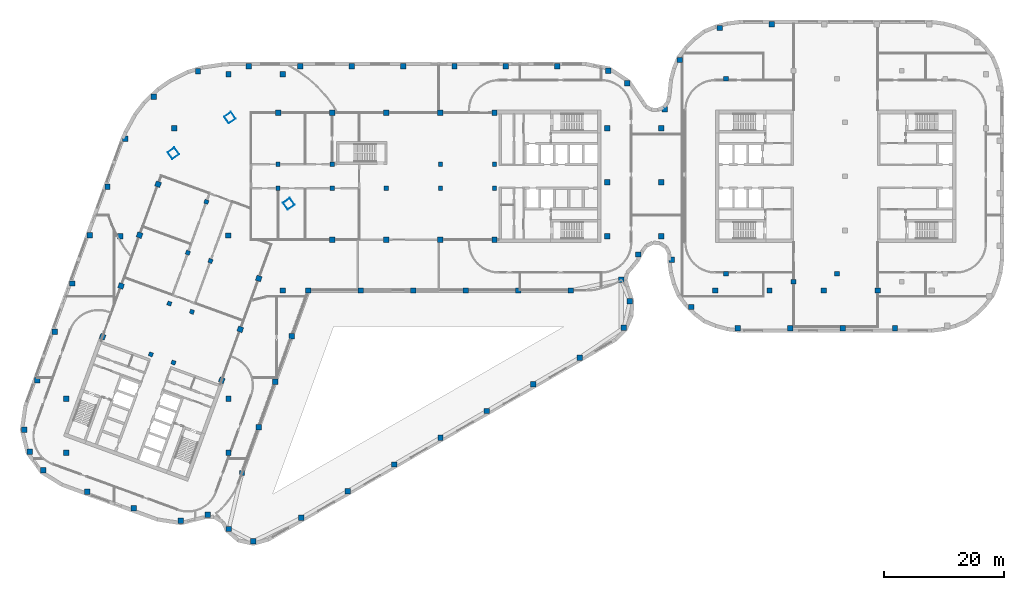
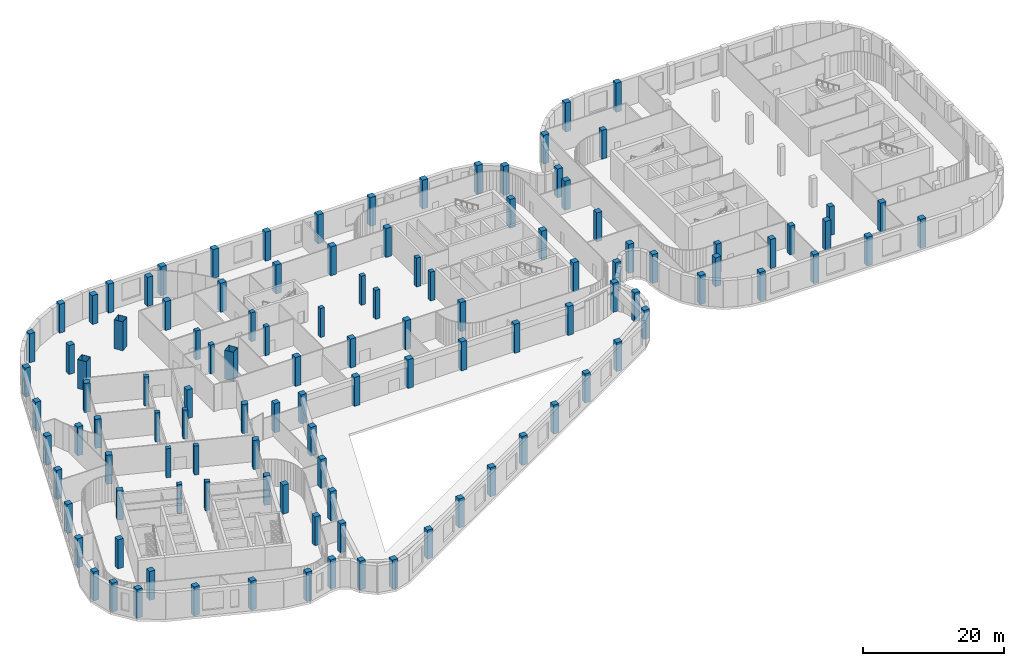
# One storey, part 1 of 20: 116 columns.
"""IFC4 building model written with IfcOpenShell, lengths in metres."""

from ifc_helpers import new_model, si_unit, direction, frame, origin, origin_2d, place, context, subcontext, project, spatial, rectangle, hollow_rectangle, extrude, material, material_profile, profile_set, type_object, element, save


model = new_model("IFC4")

# Units and contexts
model_context = context("Model", 3, precision=1e-05, world=origin(), true_north=direction((0.0, 1.0)))
body_context = subcontext(model_context, "Body", "Model", "MODEL_VIEW")
ifc_project = project(units=[si_unit("LENGTHUNIT", "METRE"), si_unit("AREAUNIT", "SQUARE_METRE"), si_unit("VOLUMEUNIT", "CUBIC_METRE"), si_unit("PLANEANGLEUNIT", "RADIAN"), si_unit("MASSUNIT", "GRAM", prefix="KILO")], contexts=[model_context])

# Site, building, storey
site_placement = place(None, origin())
site = spatial("IfcSite", under=ifc_project, at=site_placement, CompositionType="ELEMENT")
building_placement = place(site_placement, origin())
building = spatial("IfcBuilding", under=site, at=building_placement, Name="Skarvind Civic Tower", CompositionType="ELEMENT")
storey_placement = place(building_placement, frame((0.0, 0.0, 17.5)))
storey = spatial("IfcBuildingStorey", under=building, at=storey_placement, Name="L03", CompositionType="ELEMENT", Elevation=17.5)

# Columns
ifc_material_1 = material(Name="Concrete C60", Category="concrete")
ifc_material_profile_1 = material_profile(ifc_material_1, rectangle(XDim=0.699951171875, YDim=0.699951171875, at=origin_2d()), Name="RC-700x700")
ifc_profile_set_1 = profile_set([ifc_material_profile_1], Name="Concrete C60")
column_type_1 = type_object("IfcColumnType", Name="Column RC-700x700 C60", PredefinedType="COLUMN", material=ifc_profile_set_1)
for number, where, z_axis, x_axis, name in (
    (1, (54.25, 130.0, 0.0), (0.0, 0.0, 1.0), (1.0, 0.0, 0.0), "Column wing 1 north inner 02 L03"),
    (2, (63.25, 130.0, 0.0), (0.0, 0.0, 1.0), (1.0, 0.0, 0.0), "Column wing 1 north inner 03 L03"),
    (3, (81.25, 130.0, 0.0), (0.0, 0.0, 1.0), (1.0, 0.0, 0.0), "Column wing 1 north inner 05 L03"),
    (4, (90.25, 130.0, 0.0), (0.0, 0.0, 1.0), (1.0, 0.0, 0.0), "Column wing 1 north inner 06 L03"),
    (5, (54.25, 126.0, 0.0), (0.0, 0.0, 1.0), (1.0, 0.0, 0.0), "Column wing 1 south inner 02 L03"),
    (6, (63.25, 126.0, 0.0), (0.0, 0.0, 1.0), (1.0, 0.0, 0.0), "Column wing 1 south inner 03 L03"),
    (7, (72.25, 126.0, 0.0), (0.0, 0.0, 1.0), (1.0, 0.0, 0.0), "Column wing 1 south inner 04 L03"),
    (8, (81.25, 126.0, 0.0), (0.0, 0.0, 1.0), (1.0, 0.0, 0.0), "Column wing 1 south inner 05 L03"),
    (9, (90.25, 126.0, 0.0), (0.0, 0.0, 1.0), (1.0, 0.0, 0.0), "Column wing 1 south inner 06 L03"),
    (10, (43.005615234375, 113.92529296875, 0.0), (0.0, 0.0, 1.0), (-0.342020143326, -0.939692620786, 0.0), "Column wing 2 left inner 02 L03"),
    (11, (39.927490234375, 105.468017578125, 0.0), (0.0, 0.0, 1.0), (-0.342020143326, -0.939692620786, 0.0), "Column wing 2 left inner 03 L03"),
    (12, (36.84912109375, 97.010986328125, 0.0), (0.0, 0.0, 1.0), (-0.342020143326, -0.939692620786, 0.0), "Column wing 2 left inner 04 L03"),
    (13, (42.324951171875, 123.750732421875, 0.0), (0.0, 0.0, 1.0), (-0.342020143326, -0.939692620786, 0.0), "Column wing 2 right inner 01 L03"),
    (14, (39.246826171875, 115.29345703125, 0.0), (0.0, 0.0, 1.0), (-0.342020143326, -0.939692620786, 0.0), "Column wing 2 right inner 02 L03"),
    (15, (36.168701171875, 106.836181640625, 0.0), (0.0, 0.0, 1.0), (-0.342020143326, -0.939692620786, 0.0), "Column wing 2 right inner 03 L03"),
    (16, (33.090576171875, 98.37890625, 0.0), (0.0, 0.0, 1.0), (-0.342020143326, -0.939692620786, 0.0), "Column wing 2 right inner 04 L03"),
):
    element("IfcColumn", number, at=place(storey_placement, frame(where, z_axis=z_axis, x_axis=x_axis)), inside=storey, type_object=column_type_1, Name=name, PredefinedType="COLUMN", context=body_context, shape_type="SweptSolid", body=[
        extrude(rectangle(XDim=0.699951171875, YDim=0.699951171875, at=origin_2d()), origin(), (0.0, 0.0, 1.0), 5.0),
    ])
ifc_material_profile_2 = material_profile(ifc_material_1, rectangle(XDim=0.800048828125, YDim=0.800048828125, at=origin_2d()), Name="RC-800x800")
ifc_profile_set_2 = profile_set([ifc_material_profile_2], Name="Concrete C60")
column_type_2 = type_object("IfcColumnType", Name="Column RC-800x800 C60", PredefinedType="COLUMN", material=ifc_profile_set_2)
for number, where, z_axis, x_axis, name in (
    (17, (128.777099609375, 144.222900390625, 0.0), (0.0, 0.0, 1.0), (1.0, 0.0, 0.0), "Column second tower north-west corner L03"),
    (18, (128.777099609375, 111.777099609375, 0.0), (0.0, 0.0, 1.0), (1.0, 0.0, 0.0), "Column second tower south-west corner L03"),
    (19, (140.0, 110.449951171875, 0.0), (0.0, 0.0, 1.0), (1.0, 0.0, 0.0), "Column second tower south perimeter 02 L03"),
    (20, (147.222900390625, 111.777099609375, 0.0), (0.0, 0.0, 1.0), (1.0, 0.0, 0.0), "Column second tower south perimeter 03 L03"),
):
    element("IfcColumn", number, at=place(storey_placement, frame(where, z_axis=z_axis, x_axis=x_axis)), inside=storey, type_object=column_type_2, Name=name, PredefinedType="COLUMN", context=body_context, shape_type="SweptSolid", body=[
        extrude(rectangle(XDim=0.800048828125, YDim=0.800048828125, at=origin_2d()), origin(), (0.0, 0.0, 1.0), 5.0),
    ])
ifc_material_profile_3 = material_profile(ifc_material_1, rectangle(XDim=0.89990234375, YDim=0.89990234375, at=origin_2d()), Name="RC-900x900")
ifc_profile_set_3 = profile_set([ifc_material_profile_3], Name="Concrete C60")
column_type_3 = type_object("IfcColumnType", Name="Column RC-900x900 C60", PredefinedType="COLUMN", material=ifc_profile_set_3)
for number, where, z_axis, x_axis, name in (
    (21, (127.0, 109.0, 0.0), (0.0, 0.0, 1.0), (1.0, 0.0, 0.0), "Column podium grid 100 L03"),
    (22, (136.0, 109.0, 0.0), (0.0, 0.0, 1.0), (1.0, 0.0, 0.0), "Column podium grid 101 L03"),
    (23, (145.0, 109.0, 0.0), (0.0, 0.0, 1.0), (1.0, 0.0, 0.0), "Column podium grid 102 L03"),
    (24, (154.0, 109.0, 0.0), (0.0, 0.0, 1.0), (1.0, 0.0, 0.0), "Column podium grid 103 L03"),
    (25, (19.0, 82.0, 0.0), (0.0, 0.0, 1.0), (1.0, 0.0, 0.0), "Column podium grid 68 L03"),
    (26, (19.0, 91.0, 0.0), (0.0, 0.0, 1.0), (1.0, 0.0, 0.0), "Column podium grid 69 L03"),
    (27, (28.0, 118.0, 0.0), (0.0, 0.0, 1.0), (1.0, 0.0, 0.0), "Column podium grid 70 L03"),
    (28, (37.0, 136.0, 0.0), (0.0, 0.0, 1.0), (1.0, 0.0, 0.0), "Column podium grid 71 L03"),
    (29, (46.0, 82.0, 0.0), (0.0, 0.0, 1.0), (1.0, 0.0, 0.0), "Column podium grid 73 L03"),
    (30, (46.0, 91.0, 0.0), (0.0, 0.0, 1.0), (1.0, 0.0, 0.0), "Column podium grid 74 L03"),
    (31, (46.0, 145.0, 0.0), (0.0, 0.0, 1.0), (1.0, 0.0, 0.0), "Column podium grid 75 L03"),
    (32, (55.0, 109.0, 0.0), (0.0, 0.0, 1.0), (1.0, 0.0, 0.0), "Column podium grid 79 L03"),
    (33, (55.0, 145.0, 0.0), (0.0, 0.0, 1.0), (1.0, 0.0, 0.0), "Column podium grid 80 L03"),
    (34, (109.0, 118.0, 0.0), (0.0, 0.0, 1.0), (1.0, 0.0, 0.0), "Column podium grid 94 L03"),
    (35, (109.0, 127.0, 0.0), (0.0, 0.0, 1.0), (1.0, 0.0, 0.0), "Column podium grid 95 L03"),
    (36, (109.0, 136.0, 0.0), (0.0, 0.0, 1.0), (1.0, 0.0, 0.0), "Column podium grid 96 L03"),
    (37, (118.0, 118.0, 0.0), (0.0, 0.0, 1.0), (1.0, 0.0, 0.0), "Column podium grid 97 L03"),
    (38, (118.0, 127.0, 0.0), (0.0, 0.0, 1.0), (1.0, 0.0, 0.0), "Column podium grid 98 L03"),
    (39, (118.0, 136.0, 0.0), (0.0, 0.0, 1.0), (1.0, 0.0, 0.0), "Column podium grid 99 L03"),
    (40, (50.135498046875, 67.277099609375, 0.0), (0.0, 0.0, 1.0), (1.0, 0.0, 0.0), "Column podium edge 01 L03"),
    (41, (46.0517578125, 69.341796875, 0.0), (0.0, 0.0, 1.0), (1.0, 0.0, 0.0), "Column podium edge 02 L03"),
    (42, (42.575927734375, 71.690673828125, 0.0), (0.0, 0.0, 1.0), (1.0, 0.0, 0.0), "Column podium edge 03 L03"),
    (43, (38.081787109375, 70.70361328125, 0.0), (0.0, 0.0, 1.0), (1.0, 0.0, 0.0), "Column podium edge 04 L03"),
    (44, (30.215087890625, 72.767822265625, 0.0), (0.0, 0.0, 1.0), (1.0, 0.0, 0.0), "Column podium edge 05 L03"),
    (45, (22.53515625, 75.56298828125, 0.0), (0.0, 0.0, 1.0), (1.0, 0.0, 0.0), "Column podium edge 06 L03"),
    (46, (15.204833984375, 79.07763671875, 0.0), (0.0, 0.0, 1.0), (1.0, 0.0, 0.0), "Column podium edge 07 L03"),
    (47, (12.957763671875, 82.1640625, 0.0), (0.0, 0.0, 1.0), (1.0, 0.0, 0.0), "Column podium edge 08 L03"),
    (48, (12.037841796875, 85.869384765625, 0.0), (0.0, 0.0, 1.0), (1.0, 0.0, 0.0), "Column podium edge 09 L03"),
    (49, (14.1865234375, 94.0986328125, 0.0), (0.0, 0.0, 1.0), (1.0, 0.0, 0.0), "Column podium edge 10 L03"),
    (50, (17.11083984375, 102.133056640625, 0.0), (0.0, 0.0, 1.0), (1.0, 0.0, 0.0), "Column podium edge 11 L03"),
    (51, (20.03515625, 110.167724609375, 0.0), (0.0, 0.0, 1.0), (1.0, 0.0, 0.0), "Column podium edge 12 L03"),
    (52, (22.95947265625, 118.2021484375, 0.0), (0.0, 0.0, 1.0), (1.0, 0.0, 0.0), "Column podium edge 13 L03"),
    (53, (25.8837890625, 126.236572265625, 0.0), (0.0, 0.0, 1.0), (1.0, 0.0, 0.0), "Column podium edge 14 L03"),
    (54, (28.818603515625, 134.266845703125, 0.0), (0.0, 0.0, 1.0), (1.0, 0.0, 0.0), "Column podium edge 15 L03"),
    (55, (33.59375, 141.267822265625, 0.0), (0.0, 0.0, 1.0), (1.0, 0.0, 0.0), "Column podium edge 16 L03"),
    (56, (40.927001953125, 145.478515625, 0.0), (0.0, 0.0, 1.0), (1.0, 0.0, 0.0), "Column podium edge 17 L03"),
    (57, (49.399658203125, 146.300048828125, 0.0), (0.0, 0.0, 1.0), (1.0, 0.0, 0.0), "Column podium edge 18 L03"),
    (58, (57.949951171875, 146.300048828125, 0.0), (0.0, 0.0, 1.0), (1.0, 0.0, 0.0), "Column podium edge 19 L03"),
    (59, (66.5, 146.300048828125, 0.0), (0.0, 0.0, 1.0), (1.0, 0.0, 0.0), "Column podium edge 20 L03"),
    (60, (75.050048828125, 146.300048828125, 0.0), (0.0, 0.0, 1.0), (1.0, 0.0, 0.0), "Column podium edge 21 L03"),
    (61, (83.600341796875, 146.300048828125, 0.0), (0.0, 0.0, 1.0), (1.0, 0.0, 0.0), "Column podium edge 22 L03"),
    (62, (92.150390625, 146.300048828125, 0.0), (0.0, 0.0, 1.0), (1.0, 0.0, 0.0), "Column podium edge 23 L03"),
    (63, (100.700439453125, 146.300048828125, 0.0), (0.0, 0.0, 1.0), (1.0, 0.0, 0.0), "Column podium edge 24 L03"),
    (64, (109.179931640625, 145.566650390625, 0.0), (0.0, 0.0, 1.0), (1.0, 0.0, 0.0), "Column podium edge 25 L03"),
    (65, (112.329345703125, 143.49560546875, 0.0), (0.0, 0.0, 1.0), (1.0, 0.0, 0.0), "Column podium edge 26 L03"),
    (66, (118.597900390625, 139.153076171875, 0.0), (0.0, 0.0, 1.0), (1.0, 0.0, 0.0), "Column podium edge 27 L03"),
    (67, (121.09521484375, 147.3408203125, 0.0), (0.0, 0.0, 1.0), (1.0, 0.0, 0.0), "Column podium edge 28 L03"),
    (68, (127.706787109375, 152.675048828125, 0.0), (0.0, 0.0, 1.0), (1.0, 0.0, 0.0), "Column podium edge 29 L03"),
    (69, (136.371826171875, 153.300048828125, 0.0), (0.0, 0.0, 1.0), (1.0, 0.0, 0.0), "Column podium edge 30 L03"),
    (70, (156.875, 102.699951171875, 0.0), (0.0, 0.0, 1.0), (1.0, 0.0, 0.0), "Column podium edge 41 L03"),
    (71, (148.1455078125, 102.699951171875, 0.0), (0.0, 0.0, 1.0), (1.0, 0.0, 0.0), "Column podium edge 42 L03"),
    (72, (139.415771484375, 102.699951171875, 0.0), (0.0, 0.0, 1.0), (1.0, 0.0, 0.0), "Column podium edge 43 L03"),
    (73, (130.689453125, 102.749755859375, 0.0), (0.0, 0.0, 1.0), (1.0, 0.0, 0.0), "Column podium edge 44 L03"),
    (74, (122.94677734375, 106.265380859375, 0.0), (0.0, 0.0, 1.0), (1.0, 0.0, 0.0), "Column podium edge 45 L03"),
    (75, (119.70458984375, 114.13671875, 0.0), (0.0, 0.0, 1.0), (1.0, 0.0, 0.0), "Column podium edge 46 L03"),
    (76, (114.146240234375, 114.994384765625, 0.0), (0.0, 0.0, 1.0), (1.0, 0.0, 0.0), "Column podium edge 47 L03"),
    (77, (112.776611328125, 107.21484375, 0.0), (0.0, 0.0, 1.0), (1.0, 0.0, 0.0), "Column podium edge 48 L03"),
    (78, (111.77294921875, 102.8076171875, 0.0), (0.0, 0.0, 1.0), (1.0, 0.0, 0.0), "Column podium edge 49 L03"),
    (79, (104.4453125, 97.850830078125, 0.0), (0.0, 0.0, 1.0), (1.0, 0.0, 0.0), "Column podium edge 50 L03"),
    (80, (96.719970703125, 93.404541015625, 0.0), (0.0, 0.0, 1.0), (1.0, 0.0, 0.0), "Column podium edge 51 L03"),
    (81, (88.994384765625, 88.958251953125, 0.0), (0.0, 0.0, 1.0), (1.0, 0.0, 0.0), "Column podium edge 52 L03"),
    (82, (81.26904296875, 84.511962890625, 0.0), (0.0, 0.0, 1.0), (1.0, 0.0, 0.0), "Column podium edge 53 L03"),
    (83, (73.543701171875, 80.065673828125, 0.0), (0.0, 0.0, 1.0), (1.0, 0.0, 0.0), "Column podium edge 54 L03"),
    (84, (65.818359375, 75.619384765625, 0.0), (0.0, 0.0, 1.0), (1.0, 0.0, 0.0), "Column podium edge 55 L03"),
    (85, (58.093017578125, 71.173095703125, 0.0), (0.0, 0.0, 1.0), (1.0, 0.0, 0.0), "Column podium edge 56 L03"),
    (86, (48.256591796875, 78.647705078125, 0.0), (0.0, 0.0, 1.0), (1.0, 0.0, 0.0), "Column podium edge 57 L03"),
    (87, (51.0185546875, 86.23583984375, 0.0), (0.0, 0.0, 1.0), (1.0, 0.0, 0.0), "Column podium edge 58 L03"),
    (88, (53.7802734375, 93.823974609375, 0.0), (0.0, 0.0, 1.0), (1.0, 0.0, 0.0), "Column podium edge 59 L03"),
    (89, (56.5419921875, 101.411865234375, 0.0), (0.0, 0.0, 1.0), (1.0, 0.0, 0.0), "Column podium edge 60 L03"),
    (90, (59.303955078125, 109.0, 0.0), (0.0, 0.0, 1.0), (1.0, 0.0, 0.0), "Column podium edge 61 L03"),
    (91, (68.033203125, 109.0, 0.0), (0.0, 0.0, 1.0), (1.0, 0.0, 0.0), "Column podium edge 62 L03"),
    (92, (76.762451171875, 109.0, 0.0), (0.0, 0.0, 1.0), (1.0, 0.0, 0.0), "Column podium edge 63 L03"),
    (93, (85.491455078125, 109.0, 0.0), (0.0, 0.0, 1.0), (1.0, 0.0, 0.0), "Column podium edge 64 L03"),
    (94, (94.220703125, 109.0, 0.0), (0.0, 0.0, 1.0), (1.0, 0.0, 0.0), "Column podium edge 65 L03"),
    (95, (102.949951171875, 109.0, 0.0), (0.0, 0.0, 1.0), (1.0, 0.0, 0.0), "Column podium edge 66 L03"),
    (96, (111.3330078125, 110.789794921875, 0.0), (0.0, 0.0, 1.0), (1.0, 0.0, 0.0), "Column podium edge 67 L03"),
):
    element("IfcColumn", number, at=place(storey_placement, frame(where, z_axis=z_axis, x_axis=x_axis)), inside=storey, type_object=column_type_3, Name=name, PredefinedType="COLUMN", context=body_context, shape_type="SweptSolid", body=[
        extrude(rectangle(XDim=0.89990234375, YDim=0.89990234375, at=origin_2d()), origin(), (0.0, 0.0, 1.0), 5.0),
    ])
ifc_material_2 = material(Name="Concrete C80", Category="concrete")
ifc_material_profile_4 = material_profile(ifc_material_2, rectangle(XDim=0.89990234375, YDim=0.89990234375, at=origin_2d()), Name="RC-900x900")
ifc_profile_set_4 = profile_set([ifc_material_profile_4], Name="Concrete C80")
column_type_4 = type_object("IfcColumnType", Name="Column RC-900x900 C80", PredefinedType="COLUMN", material=ifc_profile_set_4)
for number, where, z_axis, x_axis, name in (
    (97, (54.25, 138.550048828125, 0.0), (0.0, 0.0, 1.0), (1.0, 0.0, 0.0), "Column wing 1 north perimeter 02 L03"),
    (98, (63.25, 138.550048828125, 0.0), (0.0, 0.0, 1.0), (1.0, 0.0, 0.0), "Column wing 1 north perimeter 03 L03"),
    (99, (72.25, 138.550048828125, 0.0), (0.0, 0.0, 1.0), (1.0, 0.0, 0.0), "Column wing 1 north perimeter 04 L03"),
    (100, (81.25, 138.550048828125, 0.0), (0.0, 0.0, 1.0), (1.0, 0.0, 0.0), "Column wing 1 north perimeter 05 L03"),
    (101, (90.25, 138.550048828125, 0.0), (0.0, 0.0, 1.0), (1.0, 0.0, 0.0), "Column wing 1 north perimeter 06 L03"),
    (102, (45.95166015625, 118.151611328125, 0.0), (0.0, 0.0, 1.0), (1.0, 0.0, 0.0), "Column wing 1 south perimeter 01 L03"),
    (103, (63.25, 117.449951171875, 0.0), (0.0, 0.0, 1.0), (1.0, 0.0, 0.0), "Column wing 1 south perimeter 03 L03"),
    (104, (72.25, 117.449951171875, 0.0), (0.0, 0.0, 1.0), (1.0, 0.0, 0.0), "Column wing 1 south perimeter 04 L03"),
    (105, (81.25, 117.449951171875, 0.0), (0.0, 0.0, 1.0), (1.0, 0.0, 0.0), "Column wing 1 south perimeter 05 L03"),
    (106, (90.25, 117.449951171875, 0.0), (0.0, 0.0, 1.0), (1.0, 0.0, 0.0), "Column wing 1 south perimeter 06 L03"),
    (107, (51.0400390625, 111.0009765625, 0.0), (0.0, 0.0, 1.0), (-0.342020143326, -0.939692620786, 0.0), "Column wing 2 left perimeter 02 L03"),
    (108, (47.961669921875, 102.5439453125, 0.0), (0.0, 0.0, 1.0), (-0.342020143326, -0.939692620786, 0.0), "Column wing 2 left perimeter 03 L03"),
    (109, (44.883544921875, 94.086669921875, 0.0), (0.0, 0.0, 1.0), (-0.342020143326, -0.939692620786, 0.0), "Column wing 2 left perimeter 04 L03"),
    (110, (34.29052734375, 126.6748046875, 0.0), (0.0, 0.0, 1.0), (-0.342020143326, -0.939692620786, 0.0), "Column wing 2 right perimeter 01 L03"),
    (111, (31.21240234375, 118.2177734375, 0.0), (0.0, 0.0, 1.0), (-0.342020143326, -0.939692620786, 0.0), "Column wing 2 right perimeter 02 L03"),
    (112, (28.13427734375, 109.760498046875, 0.0), (0.0, 0.0, 1.0), (-0.342020143326, -0.939692620786, 0.0), "Column wing 2 right perimeter 03 L03"),
    (113, (25.05615234375, 101.30322265625, 0.0), (0.0, 0.0, 1.0), (-0.342020143326, -0.939692620786, 0.0), "Column wing 2 right perimeter 04 L03"),
):
    element("IfcColumn", number, at=place(storey_placement, frame(where, z_axis=z_axis, x_axis=x_axis)), inside=storey, type_object=column_type_4, Name=name, PredefinedType="COLUMN", context=body_context, shape_type="SweptSolid", body=[
        extrude(rectangle(XDim=0.89990234375, YDim=0.89990234375, at=origin_2d()), origin(), (0.0, 0.0, 1.0), 5.0),
    ])
ifc_material_3 = material(Name="Composite concrete-filled steel tube, Steel SM355 with Concrete C80", Category="concrete")
ifc_material_profile_5 = material_profile(ifc_material_3, hollow_rectangle(XDim=1.39990234375, YDim=1.39990234375, WallThickness=0.0400390625, at=origin_2d()), Name="BOX-1400x1400x40")
ifc_profile_set_5 = profile_set([ifc_material_profile_5], Name="Composite concrete-filled steel tube, Steel SM355 with Concrete C80")
column_type_5 = type_object("IfcColumnType", Name="Mega column BOX-1400x1400x40 filled C80", PredefinedType="COLUMN", material=ifc_profile_set_5)
for number, where, z_axis, x_axis, name in (
    (114, (36.845947265625, 131.837646484375, 0.0), (0.0, 0.0, 1.0), (0.573576436351, -0.819152044289, 0.0), "Mega column 1 L03"),
    (115, (46.2470703125, 137.762451171875, 0.0), (0.0, 0.0, 1.0), (0.573576436351, -0.819152044289, 0.0), "Mega column 2 L03"),
    (116, (56.0361328125, 123.43017578125, 0.0), (0.0, 0.0, 1.0), (0.573576436351, -0.819152044289, 0.0), "Mega column 4 L03"),
):
    element("IfcColumn", number, at=place(storey_placement, frame(where, z_axis=z_axis, x_axis=x_axis)), inside=storey, type_object=column_type_5, Name=name, PredefinedType="COLUMN", context=body_context, shape_type="SweptSolid", body=[
        extrude(hollow_rectangle(XDim=1.39990234375, YDim=1.39990234375, WallThickness=0.0400390625, at=origin_2d()), origin(), (0.0, 0.0, 1.0), 5.0),
    ])

save(model, "model.ifc")
